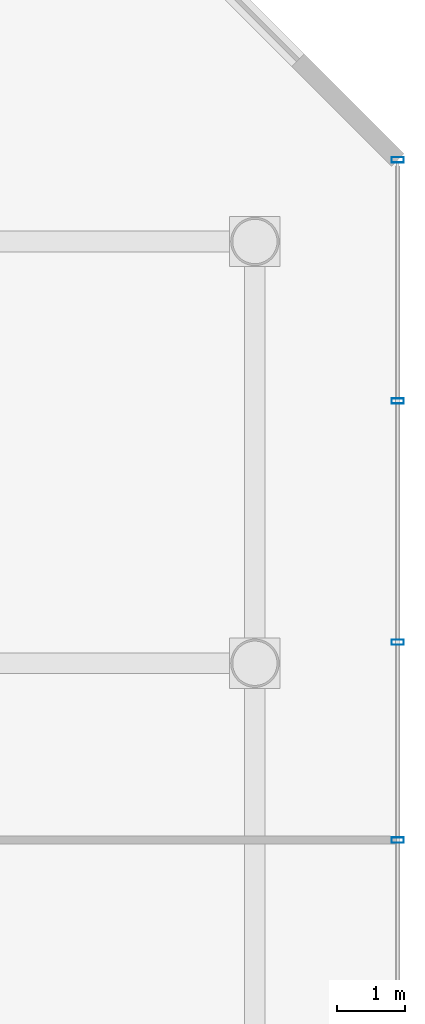
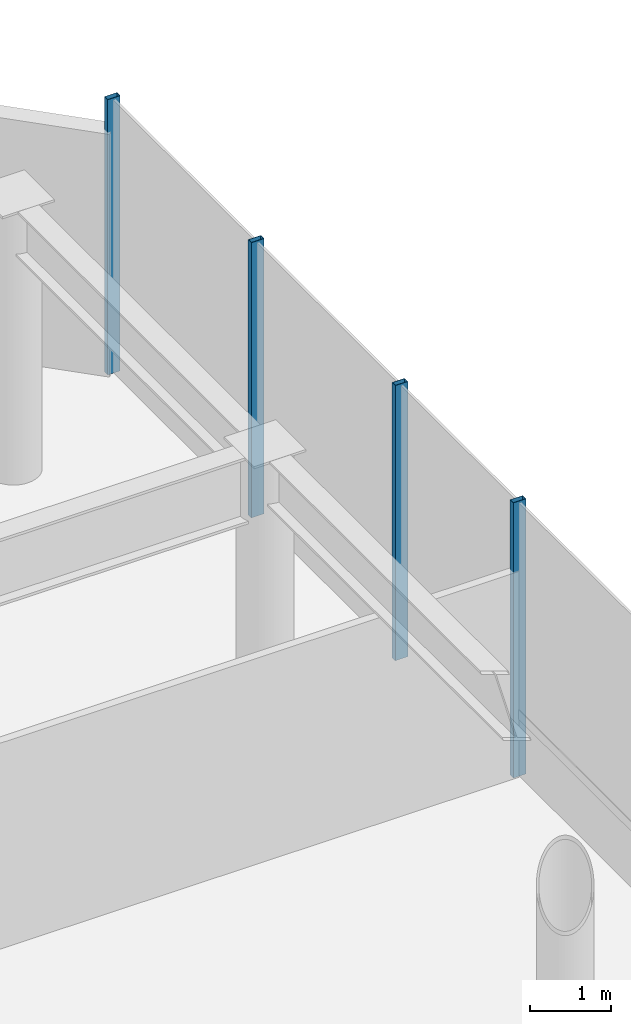
# One storey, part 35 of 43: 4 members, 1 element without a shape of its own.
"""IFC4 building model written with IfcOpenShell, lengths in metres."""

from ifc_helpers import new_model, si_unit, direction, frame, origin, origin_2d, place, context, subcontext, project, spatial, hollow_rectangle, extrude, material, layer, layer_set, material_profile, profile_set, type_object, element, aggregate, save


model = new_model("IFC4")

# Units and contexts
model_context = context("Model", 3, precision=1e-05, world=origin(), true_north=direction((0.0, 1.0)))
body_context = subcontext(model_context, "Body", "Model", "MODEL_VIEW")
ifc_project = project(units=[si_unit("LENGTHUNIT", "METRE"), si_unit("AREAUNIT", "SQUARE_METRE"), si_unit("VOLUMEUNIT", "CUBIC_METRE"), si_unit("PLANEANGLEUNIT", "RADIAN"), si_unit("MASSUNIT", "GRAM", prefix="KILO")], contexts=[model_context])

# Site, building, storey
site_placement = place(None, origin())
site = spatial("IfcSite", under=ifc_project, at=site_placement, CompositionType="ELEMENT")
building_placement = place(site_placement, origin())
building = spatial("IfcBuilding", under=site, at=building_placement, Name="Zarrinselat Tower", CompositionType="ELEMENT")
storey_placement = place(building_placement, frame((0.0, 0.0, 5.10009765625)))
storey = spatial("IfcBuildingStorey", under=building, at=storey_placement, Name="L01", CompositionType="ELEMENT", Elevation=5.10009765625)

# Curtain wall, members
ifc_material_1 = material(Name="Extruded Aluminium Alloy EN AW-6063 T6", Category="aluminium")
ifc_layer = layer(ifc_material_1, 0.2099609375)
ifc_layer_set = layer_set([ifc_layer], Name="Extruded Aluminium Alloy EN AW-6063 T6")
curtain_wall_type = type_object("IfcCurtainWallType", Name="CWS-POD", PredefinedType="NOTDEFINED", material=ifc_layer_set)
curtain_wall_placement = place(storey_placement, origin())
curtain_wall = element("IfcCurtainWall", 1, at=curtain_wall_placement, inside=storey, type_object=curtain_wall_type, Name="L01 Unitised Curtain Wall CW-L01-F3", PredefinedType="NOTDEFINED")
ifc_material_2 = material(Name="Extruded Aluminium Alloy EN AW-6063 T6", Category="aluminium")
ifc_material_profile = material_profile(ifc_material_2, hollow_rectangle(XDim=0.080078125, YDim=0.179931640625, WallThickness=0.0048828125, at=origin_2d()), Name="RHS 180x80x5")
ifc_profile_set = profile_set([ifc_material_profile], Name="Extruded Aluminium Alloy EN AW-6063 T6")
member_type = type_object("IfcMemberType", Name="MEM-CW-MUL", PredefinedType="MULLION", material=ifc_profile_set)
member_1_placement = place(storey_placement, frame((79.300048828125, 38.0, 0.0), z_axis=(0.0, 0.0, 1.0), x_axis=(0.0, 1.0, 0.0)))
member_1 = element("IfcMember", 2, at=member_1_placement, type_object=member_type, Name="CW-L01-F3 Mullion 9", PredefinedType="MULLION", context=body_context, shape_type="SweptSolid", body=[
    extrude(hollow_rectangle(XDim=0.080078125, YDim=0.179931640625, WallThickness=0.0048828125, at=origin_2d()), origin(), (0.0, 0.0, 1.0), 4.139892578125),
])
member_2_placement = place(storey_placement, frame((79.300048828125, 40.9091796875, 0.0), z_axis=(0.0, 0.0, 1.0), x_axis=(0.0, 1.0, 0.0)))
member_2 = element("IfcMember", 3, at=member_2_placement, type_object=member_type, Name="CW-L01-F3 Mullion 10", PredefinedType="MULLION", context=body_context, shape_type="SweptSolid", body=[
    extrude(hollow_rectangle(XDim=0.080078125, YDim=0.179931640625, WallThickness=0.0048828125, at=origin_2d()), origin(), (0.0, 0.0, 1.0), 4.139892578125),
])
member_3_placement = place(storey_placement, frame((79.300048828125, 44.45458984375, 0.0), z_axis=(0.0, 0.0, 1.0), x_axis=(0.0, 1.0, 0.0)))
member_3 = element("IfcMember", 4, at=member_3_placement, type_object=member_type, Name="CW-L01-F3 Mullion 11", PredefinedType="MULLION", context=body_context, shape_type="SweptSolid", body=[
    extrude(hollow_rectangle(XDim=0.080078125, YDim=0.179931640625, WallThickness=0.0048828125, at=origin_2d()), origin(), (0.0, 0.0, 1.0), 4.139892578125),
])
member_4_placement = place(storey_placement, frame((79.300048828125, 48.0, 0.0), z_axis=(0.0, 0.0, 1.0), x_axis=(0.0, 1.0, 0.0)))
member_4 = element("IfcMember", 5, at=member_4_placement, type_object=member_type, Name="CW-L01-F3 Mullion 12", PredefinedType="MULLION", context=body_context, shape_type="SweptSolid", body=[
    extrude(hollow_rectangle(XDim=0.080078125, YDim=0.179931640625, WallThickness=0.0048828125, at=origin_2d()), origin(), (0.0, 0.0, 1.0), 4.139892578125),
])
aggregate(curtain_wall, [member_1, member_2, member_3, member_4])

save(model, "model.ifc")
